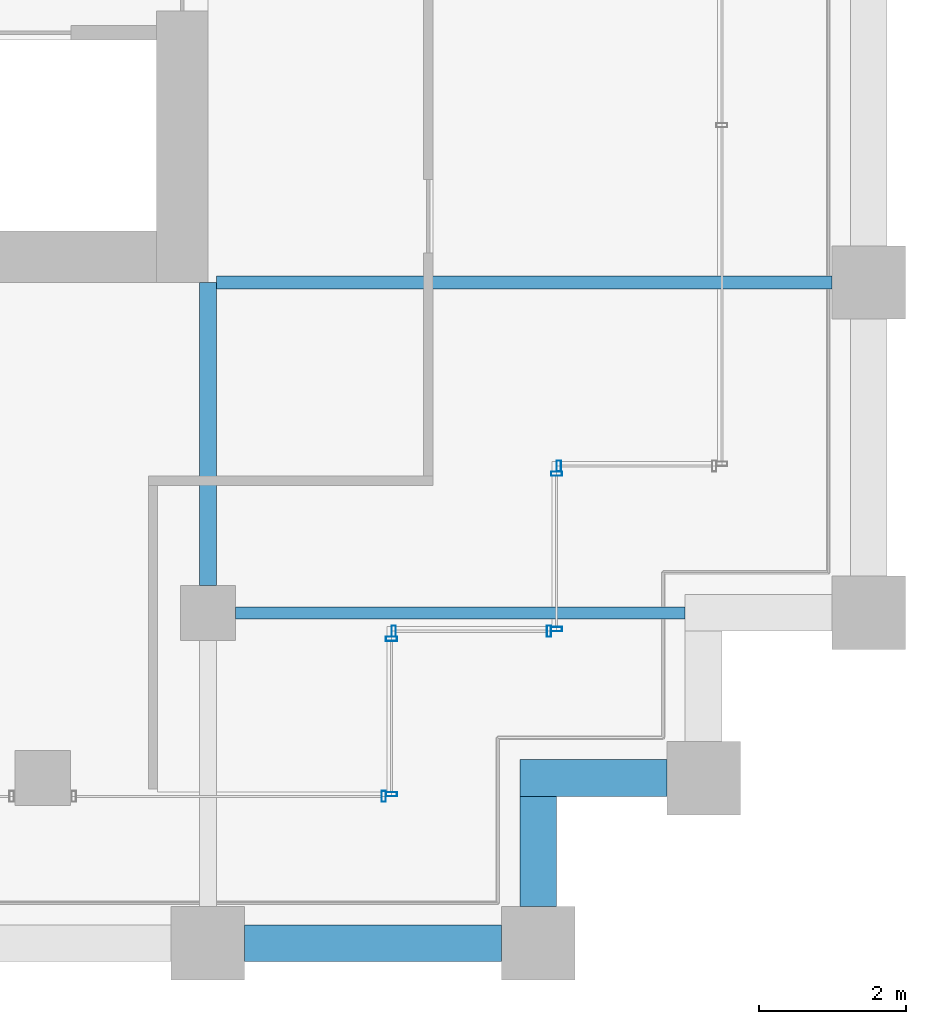
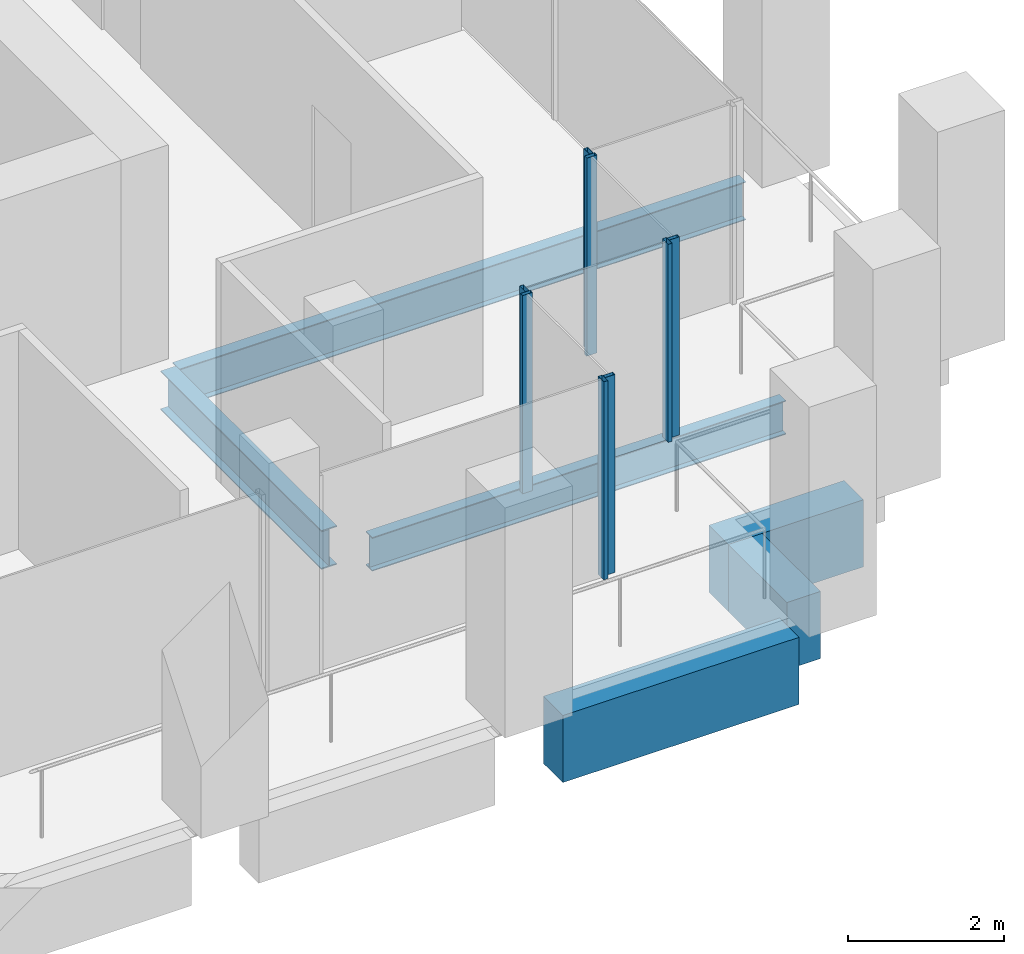
# One storey, part 32 of 46: 8 members, 6 beams, 5 elements without a shape of their own.
"""IFC4 building model written with IfcOpenShell, lengths in metres."""

from ifc_helpers import new_model, si_unit, direction, frame, origin, origin_2d, place, context, subcontext, project, spatial, rectangle, hollow_rectangle, i_section, extrude, material, material_profile, profile_set, type_object, element, aggregate, save


model = new_model("IFC4")

# Units and contexts
model_context = context("Model", 3, precision=1e-05, world=origin(), true_north=direction((0.0, 1.0)))
body_context = subcontext(model_context, "Body", "Model", "MODEL_VIEW")
ifc_project = project(units=[si_unit("LENGTHUNIT", "METRE"), si_unit("AREAUNIT", "SQUARE_METRE"), si_unit("VOLUMEUNIT", "CUBIC_METRE"), si_unit("PLANEANGLEUNIT", "RADIAN"), si_unit("MASSUNIT", "GRAM", prefix="KILO")], contexts=[model_context])

# Site, building, storey
site_placement = place(None, origin())
site = spatial("IfcSite", under=ifc_project, at=site_placement, CompositionType="ELEMENT")
building_placement = place(site_placement, origin())
building = spatial("IfcBuilding", under=site, at=building_placement, Name="Altepetl Exchange Towers", CompositionType="ELEMENT")
storey_placement = place(building_placement, frame((0.0, 0.0, 131.60009765625)))
storey = spatial("IfcBuildingStorey", under=building, at=storey_placement, Name="L32", CompositionType="ELEMENT", Elevation=131.60009765625)

# Beams
ifc_material_1 = material(Name="Steel S355", Category="steel")
ifc_material_profile_1 = material_profile(ifc_material_1, i_section(OverallWidth=0.166015625, OverallDepth=0.529052734375, WebThickness=0.009765625, FlangeThickness=0.013671875, at=origin_2d()), Name="W21X50")
ifc_profile_set_1 = profile_set([ifc_material_profile_1], Name="Steel S355")
beam_type_1 = type_object("IfcBeamType", Name="Floor beam W21X50", PredefinedType="BEAM", material=ifc_profile_set_1)
beam_1_placement = place(storey_placement, frame((117.375, 31.5, -0.41455078125), z_axis=(1.0, 0.0, 0.0), x_axis=(0.0, 1.0, 0.0)))
element("IfcBeam", 1, at=beam_1_placement, inside=storey, type_object=beam_type_1, Name="bm:B:L32:000", PredefinedType="BEAM", context=body_context, shape_type="SweptSolid", body=[
    extrude(i_section(OverallWidth=0.166015625, OverallDepth=0.529052734375, WebThickness=0.009765625, FlangeThickness=0.013671875, at=origin_2d()), origin(), (0.0, 0.0, 1.0), 6.125),
])
ifc_material_profile_2 = material_profile(ifc_material_1, i_section(OverallWidth=0.177978515625, OverallDepth=0.59912109375, WebThickness=0.010009765625, FlangeThickness=0.0126953125, at=origin_2d()), Name="W24X55")
ifc_profile_set_2 = profile_set([ifc_material_profile_2], Name="Steel S355")
beam_type_2 = type_object("IfcBeamType", Name="Floor beam W24X55", PredefinedType="BEAM", material=ifc_profile_set_2)
beam_2_placement = place(storey_placement, frame((117.114013671875, 36.0, -0.44970703125), z_axis=(1.0, 0.0, 0.0), x_axis=(0.0, 1.0, 0.0)))
element("IfcBeam", 2, at=beam_2_placement, inside=storey, type_object=beam_type_2, Name="bm:B:L32:001", PredefinedType="BEAM", context=body_context, shape_type="SweptSolid", body=[
    extrude(i_section(OverallWidth=0.177978515625, OverallDepth=0.59912109375, WebThickness=0.010009765625, FlangeThickness=0.0126953125, at=origin_2d()), origin(), (0.0, 0.0, 1.0), 8.385986328125),
])
ifc_material_profile_3 = material_profile(ifc_material_1, i_section(OverallWidth=0.22802734375, OverallDepth=0.60791015625, WebThickness=0.01123046875, FlangeThickness=0.017333984375, at=origin_2d()), Name="W24X76")
ifc_profile_set_3 = profile_set([ifc_material_profile_3], Name="Steel S355")
beam_type_3 = type_object("IfcBeamType", Name="Girder W24X76", PredefinedType="BEAM", material=ifc_profile_set_3)
beam_3_placement = place(storey_placement, frame((117.0, 36.0, -0.4541015625), z_axis=(0.0, -1.0, 0.0), x_axis=(1.0, 0.0, 0.0)))
element("IfcBeam", 3, at=beam_3_placement, inside=storey, type_object=beam_type_3, Name="gd:B:L32:000", PredefinedType="BEAM", context=body_context, shape_type="SweptSolid", body=[
    extrude(i_section(OverallWidth=0.22802734375, OverallDepth=0.60791015625, WebThickness=0.01123046875, FlangeThickness=0.017333984375, at=origin_2d()), origin(), (0.0, 0.0, 1.0), 4.125),
])

# Curtain wall, member
ifc_material_2 = material(Name="Aluminium 6063-T6 glazing", Category="aluminium")
curtain_wall_type = type_object("IfcCurtainWallType", Name="Loggia glazing system", PredefinedType="NOTDEFINED", material=ifc_material_2)
curtain_wall_1_placement = place(storey_placement, origin())
curtain_wall_1 = element("IfcCurtainWall", 4, at=curtain_wall_1_placement, inside=storey, type_object=curtain_wall_type, Name="CW1 run", PredefinedType="NOTDEFINED")
ifc_material_3 = material(Name="Aluminium 6063-T6", Category="aluminium")
ifc_material_profile_4 = material_profile(ifc_material_3, hollow_rectangle(XDim=0.06005859375, YDim=0.14990234375, WallThickness=0.0029296875, at=origin_2d()), Name="Mullion 60x150 aluminium")
ifc_profile_set_4 = profile_set([ifc_material_profile_4], Name="Aluminium 6063-T6")
member_type = type_object("IfcMemberType", Name="Mullion 60x150 aluminium", PredefinedType="MULLION", material=ifc_profile_set_4)
member_1_placement = place(storey_placement, frame((119.39501953125, 29.0, 0.0)))
member_1 = element("IfcMember", 5, at=member_1_placement, type_object=member_type, Name="MU1 mullion", PredefinedType="MULLION", context=body_context, shape_type="SweptSolid", body=[
    extrude(hollow_rectangle(XDim=0.06005859375, YDim=0.14990234375, WallThickness=0.0029296875, at=origin_2d()), origin(), (0.0, 0.0, 1.0), 3.099853515625),
])
aggregate(curtain_wall_1, [member_1])

# Curtain wall, members
curtain_wall_2_placement = place(storey_placement, origin())
curtain_wall_2 = element("IfcCurtainWall", 6, at=curtain_wall_2_placement, inside=storey, type_object=curtain_wall_type, Name="CW1 run", PredefinedType="NOTDEFINED")
member_2_placement = place(storey_placement, frame((119.5, 29.030029296875, 0.0), z_axis=(0.0, 0.0, 1.0), x_axis=(0.0, 1.0, 0.0)))
member_2 = element("IfcMember", 7, at=member_2_placement, type_object=member_type, Name="MU1 mullion", PredefinedType="MULLION", context=body_context, shape_type="SweptSolid", body=[
    extrude(hollow_rectangle(XDim=0.06005859375, YDim=0.14990234375, WallThickness=0.0029296875, at=origin_2d()), origin(), (0.0, 0.0, 1.0), 3.099853515625),
])
member_3_placement = place(storey_placement, frame((119.5, 31.14501953125, 0.0), z_axis=(0.0, 0.0, 1.0), x_axis=(0.0, 1.0, 0.0)))
member_3 = element("IfcMember", 8, at=member_3_placement, type_object=member_type, Name="MU1 mullion", PredefinedType="MULLION", context=body_context, shape_type="SweptSolid", body=[
    extrude(hollow_rectangle(XDim=0.06005859375, YDim=0.14990234375, WallThickness=0.0029296875, at=origin_2d()), origin(), (0.0, 0.0, 1.0), 3.099853515625),
])
aggregate(curtain_wall_2, [member_2, member_3])

curtain_wall_3_placement = place(storey_placement, origin())
curtain_wall_3 = element("IfcCurtainWall", 9, at=curtain_wall_3_placement, inside=storey, type_object=curtain_wall_type, Name="CW1 run", PredefinedType="NOTDEFINED")
member_4_placement = place(storey_placement, frame((119.530029296875, 31.25, 0.0)))
member_4 = element("IfcMember", 10, at=member_4_placement, type_object=member_type, Name="MU1 mullion", PredefinedType="MULLION", context=body_context, shape_type="SweptSolid", body=[
    extrude(hollow_rectangle(XDim=0.06005859375, YDim=0.14990234375, WallThickness=0.0029296875, at=origin_2d()), origin(), (0.0, 0.0, 1.0), 3.099853515625),
])
member_5_placement = place(storey_placement, frame((121.64501953125, 31.25, 0.0)))
member_5 = element("IfcMember", 11, at=member_5_placement, type_object=member_type, Name="MU1 mullion", PredefinedType="MULLION", context=body_context, shape_type="SweptSolid", body=[
    extrude(hollow_rectangle(XDim=0.06005859375, YDim=0.14990234375, WallThickness=0.0029296875, at=origin_2d()), origin(), (0.0, 0.0, 1.0), 3.099853515625),
])
aggregate(curtain_wall_3, [member_4, member_5])

curtain_wall_4_placement = place(storey_placement, origin())
curtain_wall_4 = element("IfcCurtainWall", 12, at=curtain_wall_4_placement, inside=storey, type_object=curtain_wall_type, Name="CW1 run", PredefinedType="NOTDEFINED")
member_6_placement = place(storey_placement, frame((121.75, 31.280029296875, 0.0), z_axis=(0.0, 0.0, 1.0), x_axis=(0.0, 1.0, 0.0)))
member_6 = element("IfcMember", 13, at=member_6_placement, type_object=member_type, Name="MU1 mullion", PredefinedType="MULLION", context=body_context, shape_type="SweptSolid", body=[
    extrude(hollow_rectangle(XDim=0.06005859375, YDim=0.14990234375, WallThickness=0.0029296875, at=origin_2d()), origin(), (0.0, 0.0, 1.0), 3.099853515625),
])
member_7_placement = place(storey_placement, frame((121.75, 33.39501953125, 0.0), z_axis=(0.0, 0.0, 1.0), x_axis=(0.0, 1.0, 0.0)))
member_7 = element("IfcMember", 14, at=member_7_placement, type_object=member_type, Name="MU1 mullion", PredefinedType="MULLION", context=body_context, shape_type="SweptSolid", body=[
    extrude(hollow_rectangle(XDim=0.06005859375, YDim=0.14990234375, WallThickness=0.0029296875, at=origin_2d()), origin(), (0.0, 0.0, 1.0), 3.099853515625),
])
aggregate(curtain_wall_4, [member_6, member_7])

# Curtain wall, member
curtain_wall_5_placement = place(storey_placement, origin())
curtain_wall_5 = element("IfcCurtainWall", 15, at=curtain_wall_5_placement, inside=storey, type_object=curtain_wall_type, Name="CW1 run", PredefinedType="NOTDEFINED")
member_8_placement = place(storey_placement, frame((121.780029296875, 33.5, 0.0)))
member_8 = element("IfcMember", 16, at=member_8_placement, type_object=member_type, Name="MU1 mullion", PredefinedType="MULLION", context=body_context, shape_type="SweptSolid", body=[
    extrude(hollow_rectangle(XDim=0.06005859375, YDim=0.14990234375, WallThickness=0.0029296875, at=origin_2d()), origin(), (0.0, 0.0, 1.0), 3.099853515625),
])
aggregate(curtain_wall_5, [member_8])

# Beams
ifc_material_4 = material(Name="Concrete C50/60 precast with cantera blanca facing", Category="concrete")
ifc_material_profile_5 = material_profile(ifc_material_4, rectangle(XDim=0.5, YDim=1.050048828125, at=origin_2d()), Name="500 x 1050")
ifc_profile_set_5 = profile_set([ifc_material_profile_5], Name="Concrete C50/60 precast with cantera blanca facing")
beam_type_4 = type_object("IfcBeamType", Name="Spandrel beam 500x1050 cantera blanca", PredefinedType="SPANDREL", material=ifc_profile_set_5)
beam_4_placement = place(storey_placement, frame((117.5, 27.0, -0.675048828125), z_axis=(1.0, 0.0, 0.0), x_axis=(0.0, 1.0, 0.0)))
element("IfcBeam", 17, at=beam_4_placement, inside=storey, type_object=beam_type_4, Name="sp:B:L32:004", PredefinedType="SPANDREL", context=body_context, shape_type="SweptSolid", body=[
    extrude(rectangle(XDim=0.5, YDim=1.050048828125, at=origin_2d()), origin(), (0.0, 0.0, 1.0), 3.5),
])
beam_5_placement = place(storey_placement, frame((121.5, 27.5, -0.675048828125), z_axis=(0.0, 1.0, 0.0), x_axis=(-1.0, 0.0, 0.0)))
element("IfcBeam", 18, at=beam_5_placement, inside=storey, type_object=beam_type_4, Name="sp:B:L32:005", PredefinedType="SPANDREL", context=body_context, shape_type="SweptSolid", body=[
    extrude(rectangle(XDim=0.5, YDim=1.050048828125, at=origin_2d()), origin(), (0.0, 0.0, 1.0), 1.5),
])
beam_6_placement = place(storey_placement, frame((121.25, 29.25, -0.675048828125), z_axis=(1.0, 0.0, 0.0), x_axis=(0.0, 1.0, 0.0)))
element("IfcBeam", 19, at=beam_6_placement, inside=storey, type_object=beam_type_4, Name="sp:B:L32:006", PredefinedType="SPANDREL", context=body_context, shape_type="SweptSolid", body=[
    extrude(rectangle(XDim=0.5, YDim=1.050048828125, at=origin_2d()), origin(), (0.0, 0.0, 1.0), 2.0),
])

save(model, "model.ifc")
